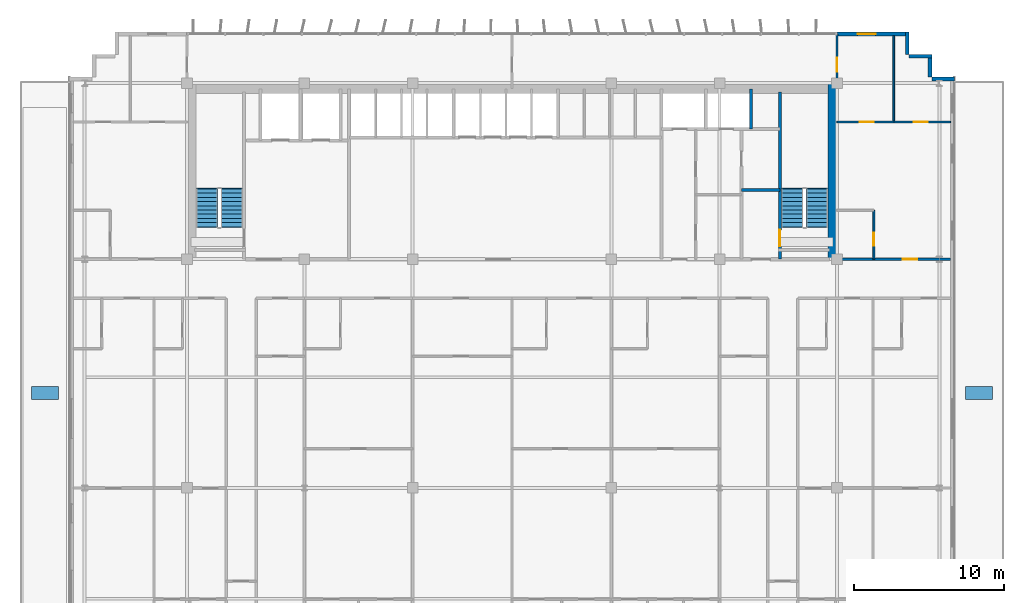
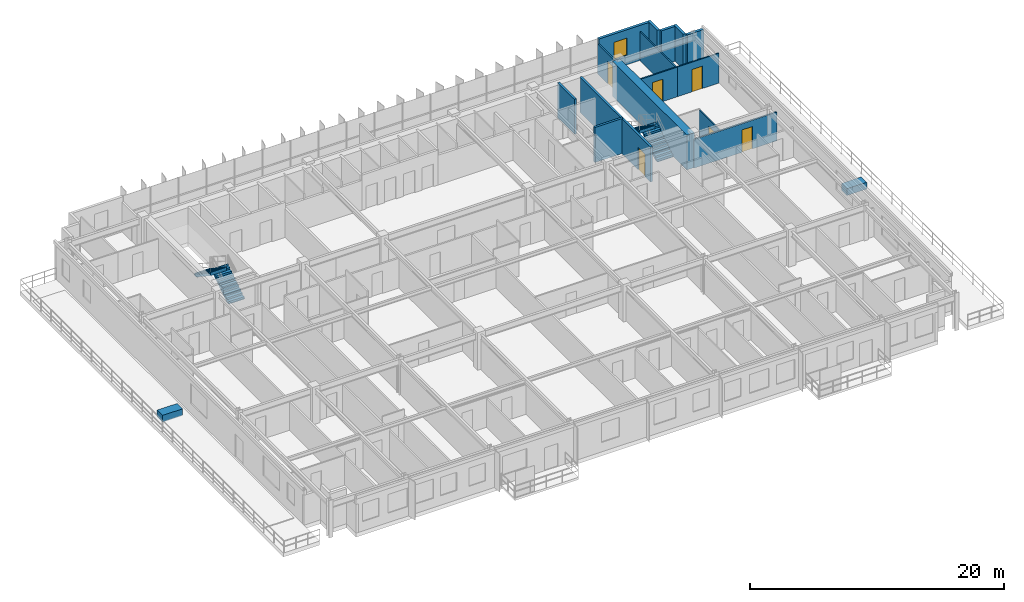
# One storey, part 19 of 22: 15 walls, 6 doors, 4 stair flights, 2 discrete accessories, 1 window, 7 openings, 2 elements without a shape of their own.
"""IFC4 building model written with IfcOpenShell, lengths in metres."""

from ifc_helpers import new_model, si_unit, direction, frame, frame_2d, origin, origin_2d, place, context, subcontext, project, spatial, polyline, rectangle, outline, extrude, source, transform, mapped, material, layer, layer_set, type_object, element, fill, aggregate, save


model = new_model("IFC4")

# Units and contexts
model_context = context("Model", 3, precision=1e-05, world=origin(), true_north=direction((0.0, 1.0)))
body_context = subcontext(model_context, "Body", "Model", "MODEL_VIEW")
ifc_project = project(units=[si_unit("LENGTHUNIT", "METRE"), si_unit("AREAUNIT", "SQUARE_METRE"), si_unit("VOLUMEUNIT", "CUBIC_METRE"), si_unit("PLANEANGLEUNIT", "RADIAN"), si_unit("MASSUNIT", "GRAM", prefix="KILO")], contexts=[model_context])

# Site, building, storey
site_placement = place(None, origin())
site = spatial("IfcSite", under=ifc_project, at=site_placement, CompositionType="ELEMENT")
building_placement = place(site_placement, origin())
building = spatial("IfcBuilding", under=site, at=building_placement, Name="Trelvane Seafront Commons", CompositionType="ELEMENT")
storey_placement = place(building_placement, frame((0.0, 0.0, 132.10009765625)))
storey = spatial("IfcBuildingStorey", under=building, at=storey_placement, Name="L34", CompositionType="ELEMENT", Elevation=132.10009765625)

# Wall, opening, window
ifc_material_1 = material(Name="Precast concrete C40/50", Category="concrete")
ifc_layer_1 = layer(ifc_material_1, 0.239990234375, Name="ARCH-WALL-EXT240")
ifc_layer_set_1 = layer_set([ifc_layer_1], Name="Precast concrete C40/50")
wall_type_1 = type_object("IfcWallType", Name="ARCH-WALL-EXT240", PredefinedType="SOLIDWALL", material=ifc_layer_set_1)
wall_1_placement = place(storey_placement, frame((58.800048828125, 48.3701171875, 0.0), z_axis=(0.0, 0.0, 1.0), x_axis=(1.0, 0.0, 0.0)))
wall_1 = element("IfcWall", 1, at=wall_1_placement, inside=storey, type_object=wall_type_1, Name="EW-L34-NE-0654", PredefinedType="SOLIDWALL", context=body_context, shape_type="SweptSolid", body=[
    extrude(rectangle(XDim=4.699951171875, YDim=0.239990234375, at=frame_2d((2.35009765625, 0.0))), origin(), (0.0, 0.0, 1.0), 3.349853515625),
])
opening_1_placement = place(wall_1_placement, frame((1.367919921875, 0.0, 0.89990234375)))
opening_1 = element("IfcOpeningElement", 2, at=opening_1_placement, cuts=wall_1, Name="Opening W05", PredefinedType="OPENING", context=body_context, shape_type="SweptSolid", body=[
    extrude(rectangle(XDim=1.199951171875, YDim=1.64990234375, at=frame_2d((0.60009765625, 0.824951171875))), frame((0.0, 0.1298828125, 0.0), z_axis=(0.0, -1.0, 0.0), x_axis=(1.0, 0.0, 0.0)), (0.0, 0.0, 1.0), 0.260009765625),
])
ifc_material_2 = material(Name="Low-E coastal double glazing", Category="glass")
window_type = type_object("IfcWindowType", Name="ARCH-WIN-W05", PartitioningType="SINGLE_PANEL", PredefinedType="WINDOW", material=ifc_material_2)
shared_shape_1 = source(origin(), body_context, "Body", "SweptSolid", [
    extrude(rectangle(XDim=1.199951171875, YDim=1.64990234375, at=frame_2d((0.60009765625, 0.824951171875))), frame((0.0, 0.030029296875, 0.0), z_axis=(0.0, -1.0, 0.0), x_axis=(1.0, 0.0, 0.0)), (0.0, 0.0, 1.0), 0.06005859375),
])
window_placement = place(opening_1_placement, origin())
window = element("IfcWindow", 3, at=window_placement, inside=storey, type_object=window_type, Name="WIN-L34-00760", OverallHeight=1.64990234375, OverallWidth=1.199951171875, PartitioningType="SINGLE_PANEL", PredefinedType="WINDOW", context=body_context, shape_type="MappedRepresentation", body=[
    mapped(shared_shape_1, transform((0.0, 0.0, 0.0), x_axis=(1.0, 0.0, 0.0), y_axis=(0.0, 1.0, 0.0), z_axis=(0.0, 0.0, 1.0), scale=1.0)),
])
fill(opening_1, window)

# Walls
for number, where, z_axis, x_axis, name in (
    (4, (63.47998046875, 48.5, 0.0), (0.0, 0.0, 1.0), (0.0, -1.0, 0.0), "EW-L34-00663"),
    (5, (63.60009765625, 46.8798828125, 0.0), (0.0, 0.0, 1.0), (1.0, 0.0, 0.0), "EW-L34-00664"),
    (6, (64.97998046875, 47.0, 0.0), (0.0, 0.0, 1.0), (0.0, -1.0, 0.0), "EW-L34-00665"),
    (7, (65.10009765625, 45.3798828125, 0.0), (0.0, 0.0, 1.0), (1.0, 0.0, 0.0), "EW-L34-00666"),
):
    element("IfcWall", number, at=place(storey_placement, frame(where, z_axis=z_axis, x_axis=x_axis)), inside=storey, type_object=wall_type_1, Name=name, PredefinedType="SOLIDWALL", context=body_context, shape_type="SweptSolid", body=[
        extrude(rectangle(XDim=1.5, YDim=0.239990234375, at=frame_2d((0.75, 0.0))), origin(), (0.0, 0.0, 1.0), 3.349853515625),
    ])
ifc_material_3 = material(Name="Concrete C40/50", Category="concrete")
ifc_layer_2 = layer(ifc_material_3, 0.199951171875, Name="ARCH-WALL-FIRE200")
ifc_layer_set_2 = layer_set([ifc_layer_2], Name="Concrete C40/50")
wall_type_2 = type_object("IfcWallType", Name="ARCH-WALL-FIRE200", PredefinedType="PARTITIONING", material=ifc_layer_set_2)
wall_2_placement = place(storey_placement, frame((52.449951171875, 38.0, 0.0), z_axis=(0.0, 0.0, 1.0), x_axis=(1.0, 0.0, 0.0)))
element("IfcWall", 8, at=wall_2_placement, inside=storey, type_object=wall_type_2, Name="W-L34-ST2V-N-034", PredefinedType="PARTITIONING", context=body_context, shape_type="SweptSolid", body=[
    extrude(rectangle(XDim=2.550048828125, YDim=0.199951171875, at=frame_2d((1.27490234375, 0.0))), origin(), (0.0, 0.0, 1.0), 3.349853515625),
])

# Wall, opening, door
ifc_material_4 = material(Name="Gypsum Drywall Acoustic Partition")
ifc_layer_3 = layer(ifc_material_4, 0.1201171875, Name="ARCH-WALL-PART120")
ifc_layer_set_3 = layer_set([ifc_layer_3], Name="Gypsum Drywall Acoustic Partition")
wall_type_3 = type_object("IfcWallType", Name="ARCH-WALL-PART120", PredefinedType="PARTITIONING", material=ifc_layer_set_3)
wall_3_placement = place(storey_placement, frame((61.25, 33.39990234375, 0.0), z_axis=(0.0, 0.0, 1.0), x_axis=(0.0, 1.0, 0.0)))
wall_3 = element("IfcWall", 9, at=wall_3_placement, inside=storey, type_object=wall_type_3, Name="W-L34-NE-BE-044", PredefinedType="PARTITIONING", context=body_context, shape_type="SweptSolid", body=[
    extrude(rectangle(XDim=3.25, YDim=0.1201171875, at=frame_2d((1.625, 0.0))), origin(), (0.0, 0.0, 1.0), 2.75),
])
opening_2_placement = place(wall_3_placement, frame((0.89990234375, 0.0, 0.0)))
opening_2 = element("IfcOpeningElement", 10, at=opening_2_placement, cuts=wall_3, Name="Opening D-L34-22", PredefinedType="OPENING", context=body_context, shape_type="SweptSolid", body=[
    extrude(rectangle(XDim=0.85009765625, YDim=2.10009765625, at=frame_2d((0.425048828125, 1.050048828125))), frame((0.0, 0.070068359375, 0.0), z_axis=(0.0, -1.0, 0.0), x_axis=(1.0, 0.0, 0.0)), (0.0, 0.0, 1.0), 0.14013671875),
])
ifc_material_5 = material(Name="Acoustic timber door leaf", Category="wood")
door_type_1 = type_object("IfcDoorType", Name="ARCH-DR-INT850", OperationType="NOTDEFINED", PredefinedType="DOOR", material=ifc_material_5)
shared_shape_2 = source(origin(), body_context, "Body", "SweptSolid", [
    extrude(rectangle(XDim=0.85009765625, YDim=2.10009765625, at=frame_2d((0.425048828125, 1.050048828125))), frame((0.0, 0.02490234375, 0.0), z_axis=(0.0, -1.0, 0.0), x_axis=(1.0, 0.0, 0.0)), (0.0, 0.0, 1.0), 0.050048828125),
])
door_1_placement = place(opening_2_placement, origin())
door_1 = element("IfcDoor", 11, at=door_1_placement, inside=storey, type_object=door_type_1, Name="L34 Door 22", OperationType="SINGLE_SWING_RIGHT", OverallHeight=2.10009765625, OverallWidth=0.85009765625, PredefinedType="DOOR", context=body_context, shape_type="MappedRepresentation", body=[
    mapped(shared_shape_2, transform((0.0, 0.0, 0.0), x_axis=(1.0, 0.0, 0.0), y_axis=(0.0, 1.0, 0.0), z_axis=(0.0, 0.0, 1.0), scale=1.0)),
])
fill(opening_2, door_1)

wall_4_placement = place(storey_placement, frame((58.800048828125, 42.52001953125, 0.0), z_axis=(0.0, 0.0, 1.0), x_axis=(1.0, 0.0, 0.0)))
wall_4 = element("IfcWall", 12, at=wall_4_placement, inside=storey, type_object=wall_type_3, Name="W-L34-NE-KB1-046", PredefinedType="PARTITIONING", context=body_context, shape_type="SweptSolid", body=[
    extrude(rectangle(XDim=3.77490234375, YDim=0.1201171875, at=frame_2d((1.887451171875, 0.0))), origin(), (0.0, 0.0, 1.0), 2.849853515625),
])
opening_3_placement = place(wall_4_placement, frame((1.506103515625, 0.0, 0.0)))
opening_3 = element("IfcOpeningElement", 13, at=opening_3_placement, cuts=wall_4, Name="Opening D-L34-23", PredefinedType="OPENING", context=body_context, shape_type="SweptSolid", body=[
    extrude(rectangle(XDim=0.949951171875, YDim=2.14990234375, at=frame_2d((0.47509765625, 1.074951171875))), frame((0.0, 0.070068359375, 0.0), z_axis=(0.0, -1.0, 0.0), x_axis=(1.0, 0.0, 0.0)), (0.0, 0.0, 1.0), 0.14013671875),
])
door_type_2 = type_object("IfcDoorType", Name="ARCH-DR-INT950", OperationType="NOTDEFINED", PredefinedType="DOOR", material=ifc_material_5)
shared_shape_3 = source(origin(), body_context, "Body", "SweptSolid", [
    extrude(rectangle(XDim=0.949951171875, YDim=2.14990234375, at=frame_2d((0.47509765625, 1.074951171875))), frame((0.0, 0.02490234375, 0.0), z_axis=(0.0, -1.0, 0.0), x_axis=(1.0, 0.0, 0.0)), (0.0, 0.0, 1.0), 0.050048828125),
])
door_2_placement = place(opening_3_placement, origin())
door_2 = element("IfcDoor", 14, at=door_2_placement, inside=storey, type_object=door_type_2, Name="L34 Door 23", OperationType="SINGLE_SWING_LEFT", OverallHeight=2.14990234375, OverallWidth=0.949951171875, PredefinedType="DOOR", context=body_context, shape_type="MappedRepresentation", body=[
    mapped(shared_shape_3, transform((0.0, 0.0, 0.0), x_axis=(1.0, 0.0, 0.0), y_axis=(0.0, 1.0, 0.0), z_axis=(0.0, 0.0, 1.0), scale=1.0)),
])
fill(opening_3, door_2)

wall_5_placement = place(storey_placement, frame((62.574951171875, 42.52001953125, 0.0), z_axis=(0.0, 0.0, 1.0), x_axis=(1.0, 0.0, 0.0)))
wall_5 = element("IfcWall", 15, at=wall_5_placement, inside=storey, type_object=wall_type_3, Name="W-L34-NE-KB2-047", PredefinedType="PARTITIONING", context=body_context, shape_type="SweptSolid", body=[
    extrude(rectangle(XDim=3.775146484375, YDim=0.1201171875, at=frame_2d((1.8876953125, 0.0))), origin(), (0.0, 0.0, 1.0), 2.849853515625),
])
opening_4_placement = place(wall_5_placement, frame((1.319091796875, 0.0, 0.0)))
opening_4 = element("IfcOpeningElement", 16, at=opening_4_placement, cuts=wall_5, Name="Opening D-L34-24", PredefinedType="OPENING", context=body_context, shape_type="SweptSolid", body=[
    extrude(rectangle(XDim=0.949951171875, YDim=2.14990234375, at=frame_2d((0.47509765625, 1.074951171875))), frame((0.0, 0.070068359375, 0.0), z_axis=(0.0, -1.0, 0.0), x_axis=(1.0, 0.0, 0.0)), (0.0, 0.0, 1.0), 0.14013671875),
])
door_3_placement = place(opening_4_placement, origin())
door_3 = element("IfcDoor", 17, at=door_3_placement, inside=storey, type_object=door_type_2, Name="L34 Door 24", OperationType="SINGLE_SWING_RIGHT", OverallHeight=2.14990234375, OverallWidth=0.949951171875, PredefinedType="DOOR", context=body_context, shape_type="MappedRepresentation", body=[
    mapped(shared_shape_3, transform((0.0, 0.0, 0.0), x_axis=(1.0, 0.0, 0.0), y_axis=(0.0, 1.0, 0.0), z_axis=(0.0, 0.0, 1.0), scale=1.0)),
])
fill(opening_4, door_3)

# Wall
wall_6_placement = place(storey_placement, frame((62.574951171875, 42.52001953125, 0.0), z_axis=(0.0, 0.0, 1.0), x_axis=(0.0, 1.0, 0.0)))
element("IfcWall", 18, at=wall_6_placement, inside=storey, type_object=wall_type_3, Name="W-L34-NE-KBDV-048", PredefinedType="PARTITIONING", context=body_context, shape_type="SweptSolid", body=[
    extrude(rectangle(XDim=5.739990234375, YDim=0.1201171875, at=frame_2d((2.8701171875, 0.0))), origin(), (0.0, 0.0, 1.0), 2.75),
])

# Wall, opening, door
ifc_layer_4 = layer(ifc_material_4, 0.14990234375, Name="ARCH-WALL-PART150")
ifc_layer_set_4 = layer_set([ifc_layer_4], Name="Gypsum Drywall Acoustic Partition")
wall_type_4 = type_object("IfcWallType", Name="ARCH-WALL-PART150", PredefinedType="PARTITIONING", material=ifc_layer_set_4)
wall_7_placement = place(storey_placement, frame((58.800048828125, 33.39990234375, 0.0), z_axis=(0.0, 0.0, 1.0), x_axis=(1.0, 0.0, 0.0)))
wall_7 = element("IfcWall", 19, at=wall_7_placement, inside=storey, type_object=wall_type_4, Name="W-L34-NE-ENT-049", PredefinedType="PARTITIONING", context=body_context, shape_type="SweptSolid", body=[
    extrude(rectangle(XDim=7.550048828125, YDim=0.14990234375, at=frame_2d((3.77490234375, 0.0))), origin(), (0.0, 0.0, 1.0), 2.75),
])
opening_5_placement = place(wall_7_placement, frame((4.375, 0.0, 0.0)))
opening_5 = element("IfcOpeningElement", 20, at=opening_5_placement, cuts=wall_7, Name="Opening FD-L34-25", PredefinedType="OPENING", context=body_context, shape_type="SweptSolid", body=[
    extrude(rectangle(XDim=0.949951171875, YDim=2.14990234375, at=frame_2d((0.47509765625, 1.074951171875))), frame((0.0, 0.0849609375, 0.0), z_axis=(0.0, -1.0, 0.0), x_axis=(1.0, 0.0, 0.0)), (0.0, 0.0, 1.0), 0.169921875),
])
ifc_material_6 = material(Name="Powder-coated aluminium frame", Category="aluminium")
door_type_3 = type_object("IfcDoorType", Name="ARCH-DR-FD60-950", OperationType="NOTDEFINED", PredefinedType="DOOR", material=ifc_material_6)
door_4_placement = place(opening_5_placement, origin())
door_4 = element("IfcDoor", 21, at=door_4_placement, inside=storey, type_object=door_type_3, Name="L34 NE Flat Entrance Door", OperationType="SINGLE_SWING_LEFT", OverallHeight=2.14990234375, OverallWidth=0.949951171875, PredefinedType="DOOR", context=body_context, shape_type="MappedRepresentation", body=[
    mapped(shared_shape_3, transform((0.0, 0.0, 0.0), x_axis=(1.0, 0.0, 0.0), y_axis=(0.0, 1.0, 0.0), z_axis=(0.0, 0.0, 1.0), scale=1.0)),
])
fill(opening_5, door_4)

wall_8_placement = place(storey_placement, frame((58.800048828125, 44.75, 0.0), z_axis=(0.0, 0.0, 1.0), x_axis=(0.0, 1.0, 0.0)))
wall_8 = element("IfcWall", 22, at=wall_8_placement, inside=storey, type_object=wall_type_4, Name="W-L34-N-LINK-E-052", PredefinedType="PARTITIONING", context=body_context, shape_type="SweptSolid", body=[
    extrude(rectangle(XDim=3.610107421875, YDim=0.14990234375, at=frame_2d((1.80517578125, 0.0))), origin(), (0.0, 0.0, 1.0), 2.849853515625),
])
opening_6_placement = place(wall_8_placement, frame((1.10009765625, 0.0, 0.0)))
opening_6 = element("IfcOpeningElement", 23, at=opening_6_placement, cuts=wall_8, Name="Opening FD-L34-28", PredefinedType="OPENING", context=body_context, shape_type="SweptSolid", body=[
    extrude(rectangle(XDim=0.949951171875, YDim=2.14990234375, at=frame_2d((0.47509765625, 1.074951171875))), frame((0.0, 0.0849609375, 0.0), z_axis=(0.0, -1.0, 0.0), x_axis=(1.0, 0.0, 0.0)), (0.0, 0.0, 1.0), 0.169921875),
])
door_5_placement = place(opening_6_placement, origin())
door_5 = element("IfcDoor", 24, at=door_5_placement, inside=storey, type_object=door_type_3, Name="L34 Door 28", OperationType="SINGLE_SWING_RIGHT", OverallHeight=2.14990234375, OverallWidth=0.949951171875, PredefinedType="DOOR", context=body_context, shape_type="MappedRepresentation", body=[
    mapped(shared_shape_3, transform((0.0, 0.0, 0.0), x_axis=(1.0, 0.0, 0.0), y_axis=(0.0, 1.0, 0.0), z_axis=(0.0, 0.0, 1.0), scale=1.0)),
])
fill(opening_6, door_5)

# Walls
ifc_layer_5 = layer(ifc_material_3, 0.199951171875, Name="ARCH-WALL-SHAFT200")
ifc_layer_set_5 = layer_set([ifc_layer_5], Name="Concrete C40/50")
wall_type_5 = type_object("IfcWallType", Name="ARCH-WALL-SHAFT200", PredefinedType="SOLIDWALL", material=ifc_layer_set_5)
wall_9_placement = place(storey_placement, frame((53.10009765625, 42.050048828125, 0.0), z_axis=(0.0, 0.0, 1.0), x_axis=(0.0, 1.0, 0.0)))
element("IfcWall", 25, at=wall_9_placement, inside=storey, type_object=wall_type_5, Name="W-L34-RSR-E-032", PredefinedType="SOLIDWALL", context=body_context, shape_type="SweptSolid", body=[
    extrude(rectangle(XDim=2.64990234375, YDim=0.199951171875, at=frame_2d((1.324951171875, 0.0))), origin(), (0.0, 0.0, 1.0), 3.349853515625),
])
ifc_material_7 = material(Name="Concrete C60/75", Category="concrete")
ifc_layer_6 = layer(ifc_material_7, 0.699951171875, Name="STR-WALL-CORE700")
ifc_layer_set_6 = layer_set([ifc_layer_6], Name="Concrete C60/75")
wall_type_6 = type_object("IfcWallType", Name="STR-WALL-CORE700", PredefinedType="SHEAR", material=ifc_layer_set_6)
wall_10_placement = place(storey_placement, frame((58.550048828125, 33.39990234375, 0.0), z_axis=(0.0, 0.0, 1.0), x_axis=(0.0, 1.0, 0.0)))
element("IfcWall", 26, at=wall_10_placement, inside=storey, type_object=wall_type_6, Name="W-L34-CE-END-003", PredefinedType="SHEAR", context=body_context, shape_type="SweptSolid", body=[
    extrude(rectangle(XDim=11.7001953125, YDim=0.699951171875, at=frame_2d((5.85009765625, 0.0))), origin(), (0.0, 0.0, 1.0), 3.349853515625),
])

# Wall, opening, door
ifc_material_8 = material(Name="Concrete C50/60", Category="concrete")
ifc_layer_7 = layer(ifc_material_8, 0.199951171875, Name="STR-WALL-STAIR200")
ifc_layer_set_7 = layer_set([ifc_layer_7], Name="Concrete C50/60")
wall_type_7 = type_object("IfcWallType", Name="STR-WALL-STAIR200", PredefinedType="SHEAR", material=ifc_layer_set_7)
wall_11_placement = place(storey_placement, frame((55.0, 33.39990234375, 0.0), z_axis=(0.0, 0.0, 1.0), x_axis=(0.0, 1.0, 0.0)))
wall_11 = element("IfcWall", 27, at=wall_11_placement, inside=storey, type_object=wall_type_7, Name="W-L34-ST2-W-007", PredefinedType="SHEAR", context=body_context, shape_type="SweptSolid", body=[
    extrude(rectangle(XDim=11.10009765625, YDim=0.199951171875, at=frame_2d((5.550048828125, 0.0))), origin(), (0.0, 0.0, 1.0), 3.349853515625),
])
opening_7_placement = place(wall_11_placement, frame((0.85009765625, 0.0, 0.0)))
opening_7 = element("IfcOpeningElement", 28, at=opening_7_placement, cuts=wall_11, Name="Opening ST-D2-L34", PredefinedType="OPENING", context=body_context, shape_type="SweptSolid", body=[
    extrude(rectangle(XDim=1.10009765625, YDim=2.14990234375, at=frame_2d((0.550048828125, 1.074951171875))), frame((0.0, 0.10986328125, 0.0), z_axis=(0.0, -1.0, 0.0), x_axis=(1.0, 0.0, 0.0)), (0.0, 0.0, 1.0), 0.219970703125),
])
door_type_4 = type_object("IfcDoorType", Name="ARCH-DR-FD90-1100", OperationType="NOTDEFINED", PredefinedType="DOOR", material=ifc_material_6)
shared_shape_4 = source(origin(), body_context, "Body", "SweptSolid", [
    extrude(rectangle(XDim=1.10009765625, YDim=2.14990234375, at=frame_2d((0.550048828125, 1.074951171875))), frame((0.0, 0.02490234375, 0.0), z_axis=(0.0, -1.0, 0.0), x_axis=(1.0, 0.0, 0.0)), (0.0, 0.0, 1.0), 0.050048828125),
])
door_6_placement = place(opening_7_placement, origin())
door_6 = element("IfcDoor", 29, at=door_6_placement, inside=storey, type_object=door_type_4, Name="L34 Stair ST-2 Vestibule Fire Door", OperationType="SINGLE_SWING_RIGHT", OverallHeight=2.14990234375, OverallWidth=1.10009765625, PredefinedType="DOOR", context=body_context, shape_type="MappedRepresentation", body=[
    mapped(shared_shape_4, transform((0.0, 0.0, 0.0), x_axis=(1.0, 0.0, 0.0), y_axis=(0.0, 1.0, 0.0), z_axis=(0.0, 0.0, 1.0), scale=1.0)),
])
fill(opening_7, door_6)

# Stair, stair flights
stair_type_1 = type_object("IfcStairType", Name="ARCH-STR-ST-1-R20-180", PredefinedType="HALF_TURN_STAIR", material=ifc_material_3)
stair_1_placement = place(storey_placement, origin())
stair_1 = element("IfcStair", 30, at=stair_1_placement, inside=storey, type_object=stair_type_1, Name="L34 West Protected Firefighting Exit Stair ST-1", PredefinedType="HALF_TURN_STAIR")
stair_flight_type_1 = type_object("IfcStairFlightType", Name="ARCH-FLG-ST-1-R20-180", PredefinedType="STRAIGHT", material=ifc_material_3)
shared_shape_5 = source(origin(), body_context, "Body", "SweptSolid", [
    extrude(outline(polyline([(-0.050048828125, -0.02001953125), (-0.050048828125, 0.0), (0.0, 0.0), (0.0, 0.179931640625), (0.280029296875, 0.179931640625), (0.280029296875, 0.360107421875), (0.56005859375, 0.360107421875), (0.56005859375, 0.5400390625), (0.840087890625, 0.5400390625), (0.840087890625, 0.719970703125), (1.1201171875, 0.719970703125), (1.1201171875, 0.89990234375), (1.39990234375, 0.89990234375), (1.39990234375, 1.080078125), (1.679931640625, 1.080078125), (1.679931640625, 1.260009765625), (1.9599609375, 1.260009765625), (1.9599609375, 1.43994140625), (2.239990234375, 1.43994140625), (2.239990234375, 1.6201171875), (2.52001953125, 1.6201171875), (2.52001953125, 1.800048828125), (2.570068359375, 1.800048828125), (2.570068359375, 1.650146484375), (2.52001953125, 1.44189453125), (0.277099609375, -0.02001953125), (-0.050048828125, -0.02001953125)])), frame((0.0, 0.72509765625, 0.0), z_axis=(0.0, -1.0, 0.0), x_axis=(1.0, 0.0, 0.0)), (0.0, 0.0, 1.0), 1.449951171875),
])
stair_flight_1_placement = place(storey_placement, frame((18.574951171875, 35.550048828125, 0.0), z_axis=(0.0, 0.0, 1.0), x_axis=(0.0, 1.0, 0.0)))
stair_flight_1 = element("IfcStairFlight", 31, at=stair_flight_1_placement, type_object=stair_flight_type_1, Name="ST-1 flight 1", NumberOfRisers=10, NumberOfTreads=9, PredefinedType="STRAIGHT", RiserHeight=0.18, TreadLength=0.28, context=body_context, shape_type="MappedRepresentation", body=[
    mapped(shared_shape_5, transform((0.0, 0.0, 0.0), x_axis=(1.0, 0.0, 0.0), y_axis=(0.0, 1.0, 0.0), z_axis=(0.0, 0.0, 1.0), scale=1.0)),
])
stair_flight_2_placement = place(storey_placement, frame((16.925048828125, 38.070068359375, 1.7998046875), z_axis=(0.0, 0.0, 1.0), x_axis=(0.0, -1.0, 0.0)))
stair_flight_2 = element("IfcStairFlight", 32, at=stair_flight_2_placement, type_object=stair_flight_type_1, Name="ST-1 flight 2", NumberOfRisers=10, NumberOfTreads=9, PredefinedType="STRAIGHT", RiserHeight=0.18, TreadLength=0.28, context=body_context, shape_type="MappedRepresentation", body=[
    mapped(shared_shape_5, transform((0.0, 0.0, 0.0), x_axis=(1.0, 0.0, 0.0), y_axis=(0.0, 1.0, 0.0), z_axis=(0.0, 0.0, 1.0), scale=1.0)),
])
aggregate(stair_1, [stair_flight_1, stair_flight_2])

stair_type_2 = type_object("IfcStairType", Name="ARCH-STR-ST-2-R20-180", PredefinedType="HALF_TURN_STAIR", material=ifc_material_3)
stair_2_placement = place(storey_placement, origin())
stair_2 = element("IfcStair", 33, at=stair_2_placement, inside=storey, type_object=stair_type_2, Name="L34 East Protected Firefighting Exit Stair ST-2", PredefinedType="HALF_TURN_STAIR")
stair_flight_type_2 = type_object("IfcStairFlightType", Name="ARCH-FLG-ST-2-R20-180", PredefinedType="STRAIGHT", material=ifc_material_3)
stair_flight_3_placement = place(storey_placement, frame((57.47509765625, 35.550048828125, 0.0), z_axis=(0.0, 0.0, 1.0), x_axis=(0.0, 1.0, 0.0)))
stair_flight_3 = element("IfcStairFlight", 34, at=stair_flight_3_placement, type_object=stair_flight_type_2, Name="ST-2 flight 1", NumberOfRisers=10, NumberOfTreads=9, PredefinedType="STRAIGHT", RiserHeight=0.18, TreadLength=0.28, context=body_context, shape_type="MappedRepresentation", body=[
    mapped(shared_shape_5, transform((0.0, 0.0, 0.0), x_axis=(1.0, 0.0, 0.0), y_axis=(0.0, 1.0, 0.0), z_axis=(0.0, 0.0, 1.0), scale=1.0)),
])
stair_flight_4_placement = place(storey_placement, frame((55.824951171875, 38.070068359375, 1.7998046875), z_axis=(0.0, 0.0, 1.0), x_axis=(0.0, -1.0, 0.0)))
stair_flight_4 = element("IfcStairFlight", 35, at=stair_flight_4_placement, type_object=stair_flight_type_2, Name="ST-2 flight 2", NumberOfRisers=10, NumberOfTreads=9, PredefinedType="STRAIGHT", RiserHeight=0.18, TreadLength=0.28, context=body_context, shape_type="MappedRepresentation", body=[
    mapped(shared_shape_5, transform((0.0, 0.0, 0.0), x_axis=(1.0, 0.0, 0.0), y_axis=(0.0, 1.0, 0.0), z_axis=(0.0, 0.0, 1.0), scale=1.0)),
])
aggregate(stair_2, [stair_flight_3, stair_flight_4])

# Discrete accessories
discrete_accessory_type = type_object("IfcDiscreteAccessoryType", Name="ARCH-ACC-PLANTER", PredefinedType="USERDEFINED", material=ifc_material_1)
shared_shape_6 = source(origin(), body_context, "Body", "SweptSolid", [
    extrude(rectangle(XDim=1.800048828125, YDim=0.85009765625, at=origin_2d()), origin(), (0.0, 0.0, 1.0), 0.64990234375),
])
for number, where, z_axis, x_axis, name in (
    (36, (6.14990234375, 24.5, 0.0), (0.0, 0.0, 1.0), (1.0, 0.0, 0.0), "PLN-L34-TR0-038"),
    (37, (68.25, 24.5, 0.0), (0.0, 0.0, 1.0), (1.0, 0.0, 0.0), "PLN-L34-TR1-039"),
):
    element("IfcDiscreteAccessory", number, at=place(storey_placement, frame(where, z_axis=z_axis, x_axis=x_axis)), inside=storey, type_object=discrete_accessory_type, Name=name, ObjectType="BALCONY TREE PLANTER", PredefinedType="USERDEFINED", context=body_context, shape_type="MappedRepresentation", body=[
        mapped(shared_shape_6, transform((0.0, 0.0, 0.0), x_axis=(1.0, 0.0, 0.0), y_axis=(0.0, 1.0, 0.0), z_axis=(0.0, 0.0, 1.0), scale=1.0)),
    ])

save(model, "model.ifc")
